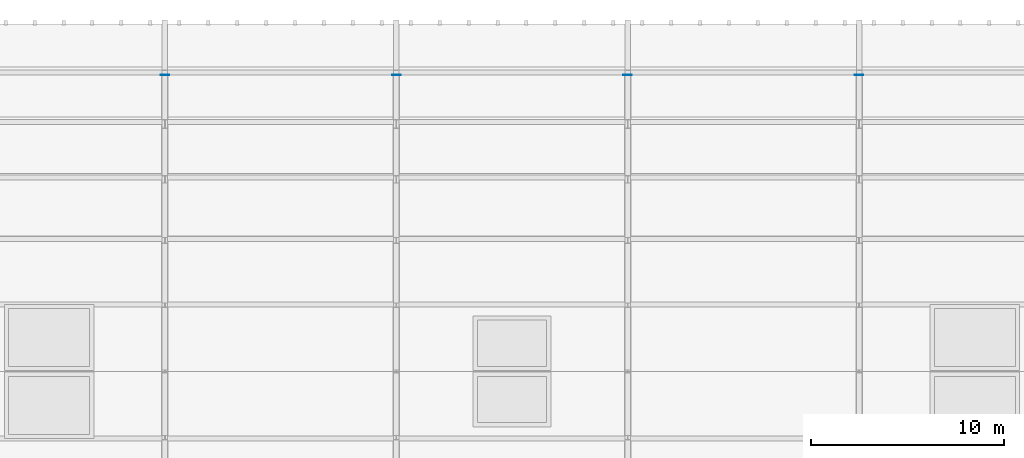
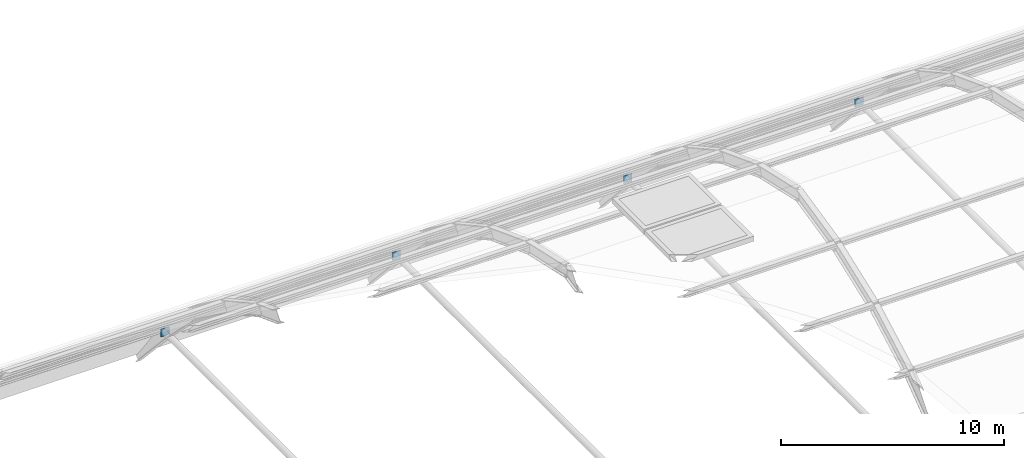
# One storey, part 14 of 35: 4 plates.
"""IFC4 building model written with IfcOpenShell, lengths in metres."""

from ifc_helpers import new_model, si_unit, direction, frame, origin, origin_2d, place, context, subcontext, project, spatial, rectangle, extrude, material, layer, layer_set, type_object, element, save


model = new_model("IFC4")

# Units and contexts
model_context = context("Model", 3, precision=1e-05, world=origin(), true_north=direction((0.0, 1.0)))
body_context = subcontext(model_context, "Body", "Model", "MODEL_VIEW")
ifc_project = project(units=[si_unit("LENGTHUNIT", "METRE"), si_unit("AREAUNIT", "SQUARE_METRE"), si_unit("VOLUMEUNIT", "CUBIC_METRE"), si_unit("PLANEANGLEUNIT", "RADIAN"), si_unit("MASSUNIT", "GRAM", prefix="KILO")], contexts=[model_context])

# Site, building, storey
site_placement = place(None, origin())
site = spatial("IfcSite", under=ifc_project, at=site_placement, CompositionType="ELEMENT")
building_placement = place(site_placement, origin())
building = spatial("IfcBuilding", under=site, at=building_placement, Name="Zlatogorsky Bluff Art Gallery", CompositionType="ELEMENT")
storey_placement = place(building_placement, frame((0.0, 0.0, 23.39990234375)))
storey = spatial("IfcBuildingStorey", under=building, at=storey_placement, Name="L04", CompositionType="ELEMENT", Elevation=23.39990234375)

# Plates
ifc_material = material(Name="Steel S355", Category="steel")
ifc_layer = layer(ifc_material, 0.43994140625)
ifc_layer_set = layer_set([ifc_layer], Name="Node Plate CP-03")
plate_type = type_object("IfcPlateType", Name="Node Plate CP-03", PredefinedType="USERDEFINED", material=ifc_layer_set)
for number, where, z_axis, x_axis, name in (
    (1, (48.0, 117.376220703125, 2.357177734375), (0.0, 0.0, 1.0), (1.0, 0.0, 0.0), "Vault tie north cap plate E"),
    (2, (60.0, 117.376220703125, 2.357177734375), (0.0, 0.0, 1.0), (1.0, 0.0, 0.0), "Vault tie north cap plate F"),
    (3, (72.0, 117.376220703125, 2.357177734375), (0.0, 0.0, 1.0), (1.0, 0.0, 0.0), "Vault tie north cap plate G"),
    (4, (84.0, 117.376220703125, 2.357177734375), (0.0, 0.0, 1.0), (1.0, 0.0, 0.0), "Vault tie north cap plate H"),
):
    element("IfcPlate", number, at=place(storey_placement, frame(where, z_axis=z_axis, x_axis=x_axis)), inside=storey, type_object=plate_type, Name=name, ObjectType="CAP PLATE", PredefinedType="USERDEFINED", context=body_context, shape_type="SweptSolid", body=[
        extrude(rectangle(XDim=0.43994140625, YDim=0.02587890625, at=origin_2d()), origin(), (0.0, 0.0, 1.0), 0.43994140625),
    ])

save(model, "model.ifc")
